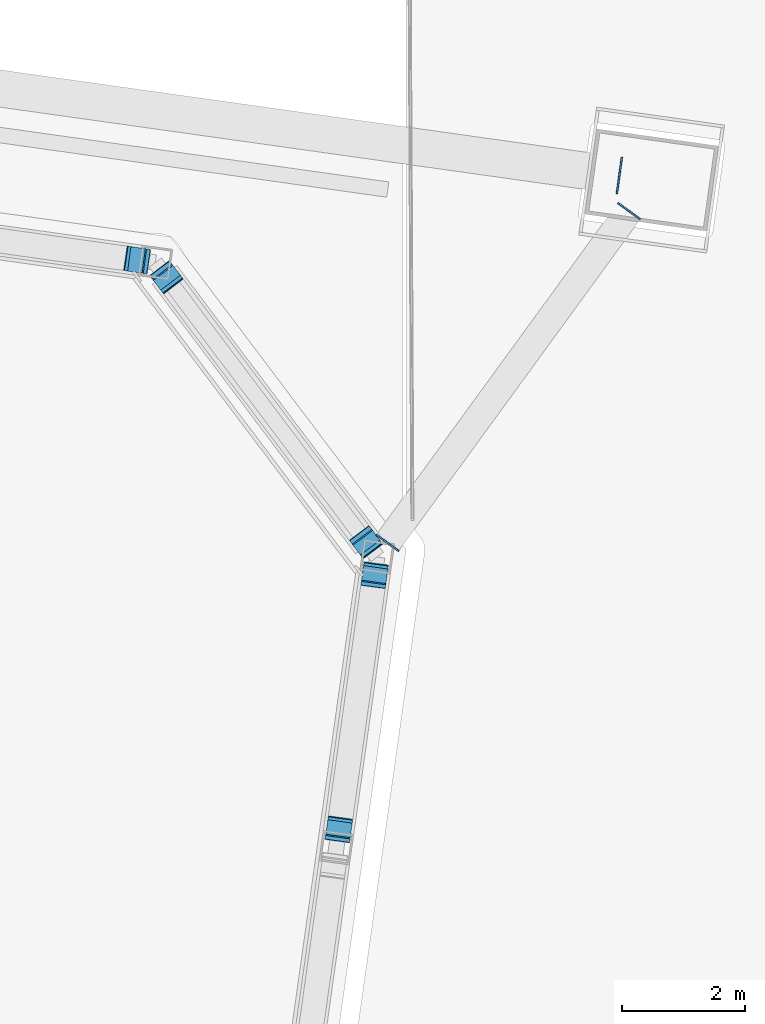
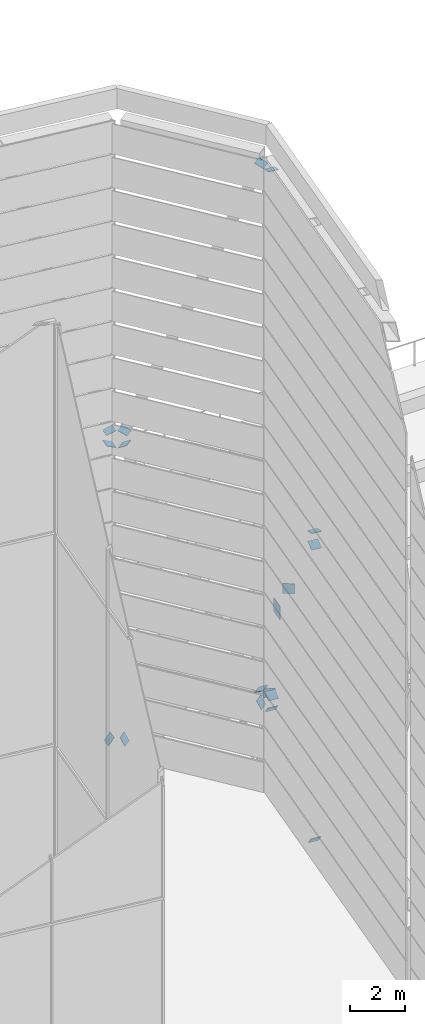
# One storey, part 35 of 45: 18 discrete accessories.
"""IFC4 building model written with IfcOpenShell, lengths in metres."""

from ifc_helpers import new_model, si_unit, direction, frame, origin, origin_2d, place, context, subcontext, project, spatial, rectangle, extrude, material, material_profile, profile_set, type_object, element, save


model = new_model("IFC4")

# Units and contexts
model_context = context("Model", 3, precision=1e-05, world=origin(), true_north=direction((0.0, 1.0)))
body_context = subcontext(model_context, "Body", "Model", "MODEL_VIEW")
ifc_project = project(units=[si_unit("LENGTHUNIT", "METRE"), si_unit("AREAUNIT", "SQUARE_METRE"), si_unit("VOLUMEUNIT", "CUBIC_METRE"), si_unit("PLANEANGLEUNIT", "RADIAN"), si_unit("MASSUNIT", "GRAM", prefix="KILO")], contexts=[model_context])

# Site, building, storey
site_placement = place(None, origin())
site = spatial("IfcSite", under=ifc_project, at=site_placement, CompositionType="ELEMENT")
building_placement = place(site_placement, origin())
building = spatial("IfcBuilding", under=site, at=building_placement, Name="Mirante Cascada Hotel Towers", CompositionType="ELEMENT")
storey_placement = place(building_placement, frame((0.0, 0.0, 269.8)))
storey = spatial("IfcBuildingStorey", under=building, at=storey_placement, Name="Roof garden", CompositionType="ELEMENT", Elevation=269.8)

# Discrete accessories
ifc_material_1 = material(Name="Steel ASTM A572 Gr 50", Category="steel")
ifc_material_profile_1 = material_profile(ifc_material_1, rectangle(XDim=0.4, YDim=0.4, at=origin_2d()), Name="Connection plate 400x400x25 ASTM A572 Gr 50")
ifc_profile_set_1 = profile_set([ifc_material_profile_1], Name="Steel ASTM A572 Gr 50")
discrete_accessory_type_1 = type_object("IfcDiscreteAccessoryType", Name="Connection plate 400x400x25 ASTM A572 Gr 50", PredefinedType="BRACKET", material=ifc_profile_set_1)
for number, where, z_axis, x_axis, name in (
    (1, (-13.3466, 5.5885, 0.5925), (0.1116566, 0.7935596, 0.5981605), (-0.9902459, 0.1393311, 0.0), "Connection plate HT-D"),
    (2, (-12.7661, 9.7191, 3.6925), (0.1116566, 0.7935596, 0.5981605), (-0.9902459, 0.1393311, 0.0), "Connection plate HT-D"),
):
    element("IfcDiscreteAccessory", number, at=place(storey_placement, frame(where, z_axis=z_axis, x_axis=x_axis)), inside=storey, type_object=discrete_accessory_type_1, Name=name, PredefinedType="BRACKET", context=body_context, shape_type="SweptSolid", body=[
        extrude(rectangle(XDim=0.4, YDim=0.4, at=origin_2d()), origin(), (0.0, 0.0, 1.0), 0.0251),
    ])
discrete_accessory_1_placement = place(storey_placement, frame((-16.1545, 14.58, 0.5938), z_axis=(0.5241426, -0.6921883, 0.496135), x_axis=(0.7972266, 0.6036802, 0.0)))
element("IfcDiscreteAccessory", 3, at=discrete_accessory_1_placement, inside=storey, type_object=discrete_accessory_type_1, Name="Connection plate HT-D", PredefinedType="BRACKET", context=body_context, shape_type="SweptSolid", body=[
    extrude(rectangle(XDim=0.4, YDim=0.4, at=origin_2d()), origin(), (0.0, 0.0, 1.0), 0.025),
])
for number, where, z_axis, x_axis, name in (
    (4, (-12.91, 10.2744, 3.6938), (0.5212316, -0.6936389, 0.4971747), (0.7994451, 0.6007391, 0.0), "Connection plate HT-D"),
    (5, (-16.6156, 14.8513, 0.5926), (-0.7976993, 0.1082306, 0.5932638), (-0.1344465, -0.9909208, 0.0), "Connection plate HT-D"),
):
    element("IfcDiscreteAccessory", number, at=place(storey_placement, frame(where, z_axis=z_axis, x_axis=x_axis)), inside=storey, type_object=discrete_accessory_type_1, Name=name, PredefinedType="BRACKET", context=body_context, shape_type="SweptSolid", body=[
        extrude(rectangle(XDim=0.4, YDim=0.4, at=origin_2d()), origin(), (0.0, 0.0, 1.0), 0.0249),
    ])
for number, where, z_axis, x_axis, name in (
    (6, (-12.764, 9.7341, 4.2886), (-0.0560534, -0.4043852, 0.9128695), (0.9905294, -0.1373011, 0.0), "Connection plate CF-B"),
    (7, (-13.3445, 5.6035, 13.6886), (-0.0560534, -0.4043852, 0.9128695), (0.9905294, -0.1373011, 0.0), "Connection plate CF-B"),
):
    element("IfcDiscreteAccessory", number, at=place(storey_placement, frame(where, z_axis=z_axis, x_axis=x_axis)), inside=storey, type_object=discrete_accessory_type_1, Name=name, PredefinedType="BRACKET", context=body_context, shape_type="SweptSolid", body=[
        extrude(rectangle(XDim=0.4, YDim=0.4, at=origin_2d()), origin(), (0.0, 0.0, 1.0), 0.025),
    ])
discrete_accessory_2_placement = place(storey_placement, frame((-12.8997, 10.2608, 4.2892), z_axis=(-0.3010083, 0.3973309, 0.8669038), x_axis=(-0.7970921, -0.6038577, 0.0)))
element("IfcDiscreteAccessory", 8, at=discrete_accessory_2_placement, inside=storey, type_object=discrete_accessory_type_1, Name="Connection plate CF-B", PredefinedType="BRACKET", context=body_context, shape_type="SweptSolid", body=[
    extrude(rectangle(XDim=0.4, YDim=0.4, at=origin_2d()), origin(), (0.0, 0.0, 1.0), 0.0249),
])
discrete_accessory_3_placement = place(storey_placement, frame((-16.1442, 14.5663, 13.6892), z_axis=(-0.300527, 0.4007026, 0.8655177), x_axis=(-0.8, -0.6, 0.0)))
element("IfcDiscreteAccessory", 9, at=discrete_accessory_3_placement, inside=storey, type_object=discrete_accessory_type_1, Name="Connection plate CF-B", PredefinedType="BRACKET", context=body_context, shape_type="SweptSolid", body=[
    extrude(rectangle(XDim=0.4, YDim=0.4, at=origin_2d()), origin(), (0.0, 0.0, 1.0), 0.025),
])
for number, where, z_axis, x_axis, name in (
    (10, (-16.6306, 14.8534, 13.6886), (0.4009345, -0.0601402, 0.9141306), (0.1483405, 0.9889364, 0.0), "Connection plate CF-B"),
    (11, (-13.3457, 5.5948, 14.2881), (0.0401373, 0.2930026, 0.9552688), (-0.9907474, 0.1357188, 0.0), "Connection plate CF-B"),
    (12, (-12.7652, 9.7254, 27.6381), (0.0400899, 0.2966653, 0.9541397), (-0.9909924, 0.1339179, 0.0), "Connection plate CF-B"),
):
    element("IfcDiscreteAccessory", number, at=place(storey_placement, frame(where, z_axis=z_axis, x_axis=x_axis)), inside=storey, type_object=discrete_accessory_type_1, Name=name, PredefinedType="BRACKET", context=body_context, shape_type="SweptSolid", body=[
        extrude(rectangle(XDim=0.4, YDim=0.4, at=origin_2d()), origin(), (0.0, 0.0, 1.0), 0.0249),
    ])
for number, where, z_axis, x_axis, name in (
    (13, (-16.1508, 14.575, 14.2884), (0.2279107, -0.295884, 0.9276364), (0.7922258, 0.610228, 0.0), "Connection plate CF-B"),
    (14, (-12.9063, 10.2695, 27.6384), (0.2238478, -0.2997962, 0.9273696), (0.8012802, 0.5982892, 0.0), "Connection plate CF-B"),
):
    element("IfcDiscreteAccessory", number, at=place(storey_placement, frame(where, z_axis=z_axis, x_axis=x_axis)), inside=storey, type_object=discrete_accessory_type_1, Name=name, PredefinedType="BRACKET", context=body_context, shape_type="SweptSolid", body=[
        extrude(rectangle(XDim=0.4, YDim=0.4, at=origin_2d()), origin(), (0.0, 0.0, 1.0), 0.025),
    ])
discrete_accessory_4_placement = place(storey_placement, frame((-16.6219, 14.8521, 14.2881), z_axis=(-0.2966152, 0.0440915, 0.9539787), x_axis=(-0.1470331, -0.9891316, 0.0)))
element("IfcDiscreteAccessory", 15, at=discrete_accessory_4_placement, inside=storey, type_object=discrete_accessory_type_1, Name="Connection plate CF-B", PredefinedType="BRACKET", context=body_context, shape_type="SweptSolid", body=[
    extrude(rectangle(XDim=0.4, YDim=0.4, at=origin_2d()), origin(), (0.0, 0.0, 1.0), 0.0249),
])
ifc_material_2 = material(Name="Steel ASTM A572 Gr 50", Category="steel")
ifc_material_profile_2 = material_profile(ifc_material_2, rectangle(XDim=0.45, YDim=0.45, at=origin_2d()), Name="Connection plate 450x450x25 ASTM A572 Gr 50")
ifc_profile_set_2 = profile_set([ifc_material_profile_2], Name="Steel ASTM A572 Gr 50")
discrete_accessory_type_2 = type_object("IfcDiscreteAccessoryType", Name="Connection plate 450x450x25 ASTM A572 Gr 50", PredefinedType="BRACKET", material=ifc_profile_set_2)
for number, where, z_axis, x_axis, name in (
    (16, (-8.6218, 15.6576, 4.0), (-0.5884097, -0.808563, 0.0), (0.808563, -0.5884097, 0.0), "Connection plate CF-T"),
    (17, (-12.5488, 10.2653, 4.0), (-0.5884097, -0.808563, 0.0), (0.808563, -0.5884097, 0.0), "Connection plate CF-T"),
):
    element("IfcDiscreteAccessory", number, at=place(storey_placement, frame(where, z_axis=z_axis, x_axis=x_axis)), inside=storey, type_object=discrete_accessory_type_2, Name=name, PredefinedType="BRACKET", context=body_context, shape_type="SweptSolid", body=[
        extrude(rectangle(XDim=0.45, YDim=0.45, at=origin_2d()), origin(), (0.0, 0.0, 1.0), 0.025),
    ])
ifc_material_3 = material(Name="Steel ASTM A572 Gr 50", Category="steel")
ifc_material_profile_3 = material_profile(ifc_material_3, rectangle(XDim=0.6, YDim=0.6, at=origin_2d()), Name="Connection plate 600x600x25 ASTM A572 Gr 50")
ifc_profile_set_3 = profile_set([ifc_material_profile_3], Name="Steel ASTM A572 Gr 50")
discrete_accessory_type_3 = type_object("IfcDiscreteAccessoryType", Name="Connection plate 600x600x25 ASTM A572 Gr 50", PredefinedType="BRACKET", material=ifc_profile_set_3)
discrete_accessory_5_placement = place(storey_placement, frame((-8.7747, 16.2234, 2.8), z_axis=(-0.9907327, 0.1358263, 0.0), x_axis=(-0.1358263, -0.9907327, 0.0)))
element("IfcDiscreteAccessory", 18, at=discrete_accessory_5_placement, inside=storey, type_object=discrete_accessory_type_3, Name="Connection plate NCH", PredefinedType="BRACKET", context=body_context, shape_type="SweptSolid", body=[
    extrude(rectangle(XDim=0.6, YDim=0.6, at=origin_2d()), origin(), (0.0, 0.0, 1.0), 0.025),
])

save(model, "model.ifc")
